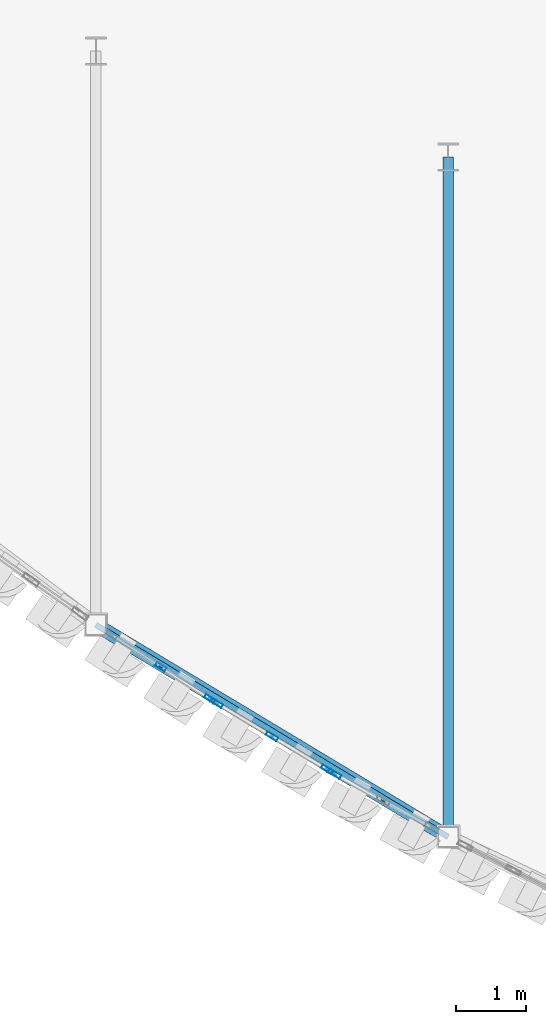
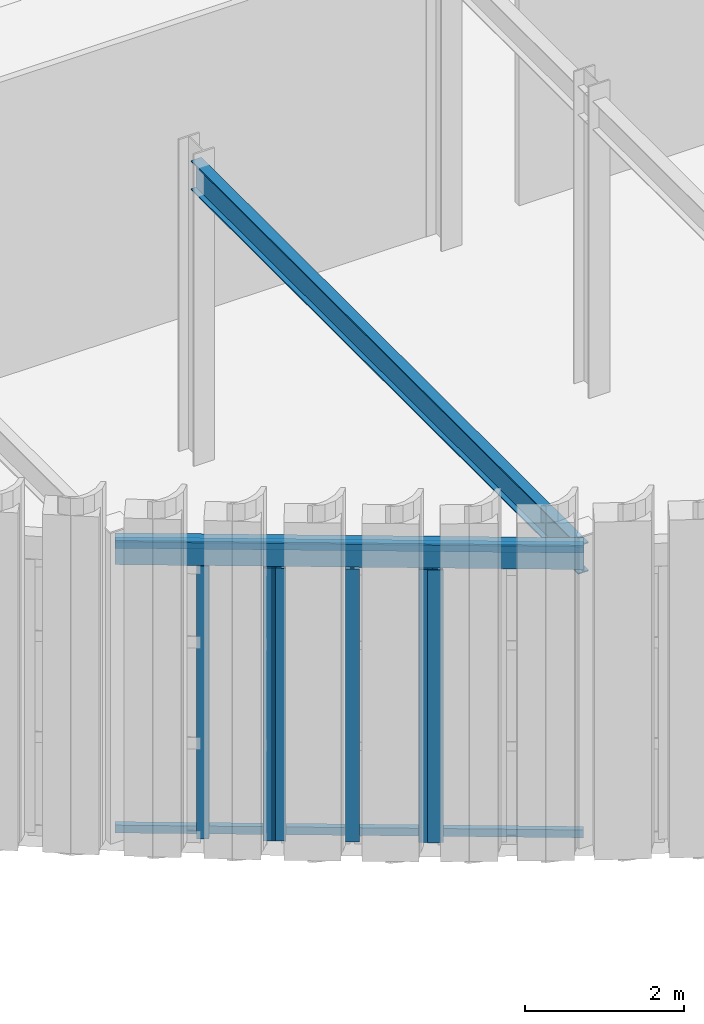
# One storey, part 19 of 126: 8 members, 2 beams, 3 elements without a shape of their own.
"""IFC4 building model written with IfcOpenShell, lengths in metres."""

from ifc_helpers import new_model, si_unit, direction, frame, origin, origin_2d, place, context, subcontext, project, spatial, hollow_rectangle, i_section, extrude, material, layer, layer_set, material_profile, profile_set, type_object, element, aggregate, save


model = new_model("IFC4")

# Units and contexts
model_context = context("Model", 3, precision=1e-05, world=origin(), true_north=direction((0.0, 1.0)))
body_context = subcontext(model_context, "Body", "Model", "MODEL_VIEW")
ifc_project = project(units=[si_unit("LENGTHUNIT", "METRE"), si_unit("AREAUNIT", "SQUARE_METRE"), si_unit("VOLUMEUNIT", "CUBIC_METRE"), si_unit("PLANEANGLEUNIT", "RADIAN"), si_unit("MASSUNIT", "GRAM", prefix="KILO")], contexts=[model_context])

# Site, building, storey
site_placement = place(None, origin())
site = spatial("IfcSite", under=ifc_project, at=site_placement, CompositionType="ELEMENT")
building_placement = place(site_placement, origin())
building = spatial("IfcBuilding", under=site, at=building_placement, Name="Solvadek Multi-Sports Hall", CompositionType="ELEMENT")
storey_placement = place(building_placement, frame((0.0, 0.0, 9.60009765625)))
storey = spatial("IfcBuildingStorey", under=building, at=storey_placement, Name="L02", CompositionType="ELEMENT", Elevation=9.60009765625)

# Curtain wall, members
ifc_material_1 = material(Name="Anodised aluminium", Category="aluminium")
ifc_layer_1 = layer(ifc_material_1, 0.159912109375, Name="Anodised aluminium")
ifc_layer_set_1 = layer_set([ifc_layer_1], Name="Anodised aluminium")
curtain_wall_type_1 = type_object("IfcCurtainWallType", Name="ENV-CW-174X420", PredefinedType="USERDEFINED", material=ifc_layer_set_1)
curtain_wall_1_placement = place(storey_placement, origin())
curtain_wall_1 = element("IfcCurtainWall", 1, at=curtain_wall_1_placement, inside=storey, type_object=curtain_wall_type_1, Name="L02 Crescent Curved Curtain Wall #26", ObjectType="CURTAIN WALL", PredefinedType="USERDEFINED")
ifc_material_profile_1 = material_profile(ifc_material_1, hollow_rectangle(XDim=0.06005859375, YDim=0.159912109375, WallThickness=0.00390625, at=origin_2d()), Name="ALU-M 160x60x4")
ifc_profile_set_1 = profile_set([ifc_material_profile_1], Name="Anodised aluminium")
member_type_1 = type_object("IfcMemberType", Name="ENV-CWM-01", PredefinedType="MULLION", material=ifc_profile_set_1)
member_1_placement = place(storey_placement, frame((47.628662109375, -3.88232421875, 0.0), z_axis=(0.0, 0.0, 1.0), x_axis=(0.544061029929, 0.839045645786, 0.0)))
member_1 = element("IfcMember", 2, at=member_1_placement, type_object=member_type_1, Name="CW-12 mullion 2", PredefinedType="MULLION", context=body_context, shape_type="SweptSolid", body=[
    extrude(hollow_rectangle(XDim=0.06005859375, YDim=0.159912109375, WallThickness=0.00390625, at=origin_2d()), origin(), (0.0, 0.0, 1.0), 4.199951171875),
])
member_2_placement = place(storey_placement, frame((48.33349609375, -4.339599609375, 0.0), z_axis=(0.0, 0.0, 1.0), x_axis=(0.544061029929, 0.839045645786, 0.0)))
member_2 = element("IfcMember", 3, at=member_2_placement, type_object=member_type_1, Name="CW-12 mullion 3", PredefinedType="MULLION", context=body_context, shape_type="SweptSolid", body=[
    extrude(hollow_rectangle(XDim=0.06005859375, YDim=0.159912109375, WallThickness=0.00390625, at=origin_2d()), origin(), (0.0, 0.0, 1.0), 4.199951171875),
])
aggregate(curtain_wall_1, [member_1, member_2])

ifc_layer_2 = layer(ifc_material_1, 0.159912109375, Name="Anodised aluminium")
ifc_layer_set_2 = layer_set([ifc_layer_2], Name="Anodised aluminium")
curtain_wall_type_2 = type_object("IfcCurtainWallType", Name="ENV-CW-191X420", PredefinedType="USERDEFINED", material=ifc_layer_set_2)
curtain_wall_2_placement = place(storey_placement, origin())
curtain_wall_2 = element("IfcCurtainWall", 4, at=curtain_wall_2_placement, inside=storey, type_object=curtain_wall_type_2, Name="L02 Crescent Curved Curtain Wall #28", ObjectType="CURTAIN WALL", PredefinedType="USERDEFINED")
ifc_material_profile_2 = material_profile(ifc_material_1, hollow_rectangle(XDim=0.06005859375, YDim=0.179931640625, WallThickness=0.00390625, at=origin_2d()), Name="ALU-M 180x60x4")
ifc_profile_set_2 = profile_set([ifc_material_profile_2], Name="Anodised aluminium")
member_type_2 = type_object("IfcMemberType", Name="ENV-CWM-02", PredefinedType="MULLION", material=ifc_profile_set_2)
member_3_placement = place(storey_placement, frame((48.435302734375, -4.403076171875, 0.0), z_axis=(0.0, 0.0, 1.0), x_axis=(0.515058308995, 0.857155142512, 0.0)))
member_3 = element("IfcMember", 5, at=member_3_placement, type_object=member_type_2, Name="CW-13 mullion 1", PredefinedType="MULLION", context=body_context, shape_type="SweptSolid", body=[
    extrude(hollow_rectangle(XDim=0.06005859375, YDim=0.179931640625, WallThickness=0.00390625, at=origin_2d()), origin(), (0.0, 0.0, 1.0), 4.199951171875),
])
member_4_placement = place(storey_placement, frame((49.227294921875, -4.87890625, 0.0), z_axis=(0.0, 0.0, 1.0), x_axis=(0.515058308995, 0.857155142512, 0.0)))
member_4 = element("IfcMember", 6, at=member_4_placement, type_object=member_type_2, Name="CW-13 mullion 2", PredefinedType="MULLION", context=body_context, shape_type="SweptSolid", body=[
    extrude(hollow_rectangle(XDim=0.06005859375, YDim=0.179931640625, WallThickness=0.00390625, at=origin_2d()), origin(), (0.0, 0.0, 1.0), 4.199951171875),
])
member_5_placement = place(storey_placement, frame((50.019287109375, -5.354736328125, 0.0), z_axis=(0.0, 0.0, 1.0), x_axis=(0.515058308995, 0.857155142512, 0.0)))
member_5 = element("IfcMember", 7, at=member_5_placement, type_object=member_type_2, Name="CW-13 mullion 3", PredefinedType="MULLION", context=body_context, shape_type="SweptSolid", body=[
    extrude(hollow_rectangle(XDim=0.06005859375, YDim=0.179931640625, WallThickness=0.00390625, at=origin_2d()), origin(), (0.0, 0.0, 1.0), 4.199951171875),
])
aggregate(curtain_wall_2, [member_3, member_4, member_5])

# Curtain wall, member
ifc_layer_3 = layer(ifc_material_1, 0.159912109375, Name="Anodised aluminium")
ifc_layer_set_3 = layer_set([ifc_layer_3], Name="Anodised aluminium")
curtain_wall_type_3 = type_object("IfcCurtainWallType", Name="ENV-CW-166X420", PredefinedType="USERDEFINED", material=ifc_layer_set_3)
curtain_wall_3_placement = place(storey_placement, origin())
curtain_wall_3 = element("IfcCurtainWall", 8, at=curtain_wall_3_placement, inside=storey, type_object=curtain_wall_type_3, Name="L02 Crescent Curved Curtain Wall #30", ObjectType="CURTAIN WALL", PredefinedType="USERDEFINED")
ifc_material_profile_3 = material_profile(ifc_material_1, hollow_rectangle(XDim=0.06494140625, YDim=0.199951171875, WallThickness=0.0048828125, at=origin_2d()), Name="ALU-M 200x65x5")
ifc_profile_set_3 = profile_set([ifc_material_profile_3], Name="Anodised aluminium")
member_type_3 = type_object("IfcMemberType", Name="ENV-CWM-03", PredefinedType="MULLION", material=ifc_profile_set_3)
member_6_placement = place(storey_placement, frame((50.125244140625, -5.416259765625, 0.0), z_axis=(0.0, 0.0, 1.0), x_axis=(0.486005981468, 0.873955482835, 0.0)))
member_6 = element("IfcMember", 9, at=member_6_placement, type_object=member_type_3, Name="CW-14 mullion 1", PredefinedType="MULLION", context=body_context, shape_type="SweptSolid", body=[
    extrude(hollow_rectangle(XDim=0.06494140625, YDim=0.199951171875, WallThickness=0.0048828125, at=origin_2d()), origin(), (0.0, 0.0, 1.0), 4.199951171875),
])
aggregate(curtain_wall_3, [member_6])

# Beams
ifc_material_2 = material(Name="Steel E350 (350 MPa)", Category="steel")
ifc_material_profile_4 = material_profile(ifc_material_2, i_section(OverallWidth=0.14990234375, OverallDepth=0.449951171875, WebThickness=0.009521484375, FlangeThickness=0.017333984375, at=origin_2d()), Name="ISMB 450")
ifc_profile_set_4 = profile_set([ifc_material_profile_4], Name="Steel E350 (350 MPa)")
beam_type_1 = type_object("IfcBeamType", Name="STR-BM-ISMB450", PredefinedType="BEAM", material=ifc_profile_set_4)
beam_1_placement = place(storey_placement, frame((51.757568359375, -6.323974609375, 4.3349609375), z_axis=(0.0, 1.0, 0.0), x_axis=(-1.0, 0.0, 0.0)))
element("IfcBeam", 10, at=beam_1_placement, inside=storey, type_object=beam_type_1, Name="L02 Girder B-09 #1519", PredefinedType="BEAM", context=body_context, shape_type="SweptSolid", body=[
    extrude(i_section(OverallWidth=0.14990234375, OverallDepth=0.449951171875, WebThickness=0.009521484375, FlangeThickness=0.017333984375, at=origin_2d()), origin(), (0.0, 0.0, 1.0), 9.761962890625),
])
ifc_material_profile_5 = material_profile(ifc_material_2, hollow_rectangle(XDim=0.199951171875, YDim=0.35009765625, WallThickness=0.011962890625, at=origin_2d()), Name="RHS 350x200x12")
ifc_profile_set_5 = profile_set([ifc_material_profile_5], Name="Steel E350 (350 MPa)")
beam_type_2 = type_object("IfcBeamType", Name="STR-SPN-RHS350", PredefinedType="SPANDREL", material=ifc_profile_set_5)
beam_2_placement = place(storey_placement, frame((46.697021484375, -3.2783203125, 4.40478515625), z_axis=(0.856795520419, -0.51565631596, 0.0), x_axis=(0.51565631596, 0.856795520419, 0.0)))
element("IfcBeam", 11, at=beam_2_placement, inside=storey, type_object=beam_type_2, Name="L02 Curved Crescent Spandrel #62", PredefinedType="SPANDREL", context=body_context, shape_type="SweptSolid", body=[
    extrude(hollow_rectangle(XDim=0.199951171875, YDim=0.35009765625, WallThickness=0.011962890625, at=origin_2d()), origin(), (0.0, 0.0, 1.0), 5.90625),
])

# Members
ifc_material_3 = material(Name="Steel E250 (250 MPa)", Category="steel")
ifc_material_profile_6 = material_profile(ifc_material_3, hollow_rectangle(XDim=0.080078125, YDim=0.1201171875, WallThickness=0.006103515625, at=origin_2d()), Name="RHS 120x80x6")
ifc_profile_set_6 = profile_set([ifc_material_profile_6], Name="Steel E250 (250 MPa)")
member_type_4 = type_object("IfcMemberType", Name="STR-STD-RHS120", PredefinedType="STUD", material=ifc_profile_set_6)
for number, where, z_axis, x_axis, name in (
    (12, (46.697021484375, -3.2783203125, 0.119873046875), (0.856795520419, -0.51565631596, 0.0), (0.51565631596, 0.856795520419, 0.0), "L02 Flute Subframe Rail W-5 bot"),
    (13, (46.697021484375, -3.2783203125, 4.5), (0.856795520419, -0.51565631596, 0.0), (0.51565631596, 0.856795520419, 0.0), "L02 Flute Subframe Rail W-5 top"),
):
    element("IfcMember", number, at=place(storey_placement, frame(where, z_axis=z_axis, x_axis=x_axis)), inside=storey, type_object=member_type_4, Name=name, PredefinedType="STUD", context=body_context, shape_type="SweptSolid", body=[
        extrude(hollow_rectangle(XDim=0.080078125, YDim=0.1201171875, WallThickness=0.006103515625, at=origin_2d()), origin(), (0.0, 0.0, 1.0), 5.90625),
    ])

save(model, "model.ifc")
